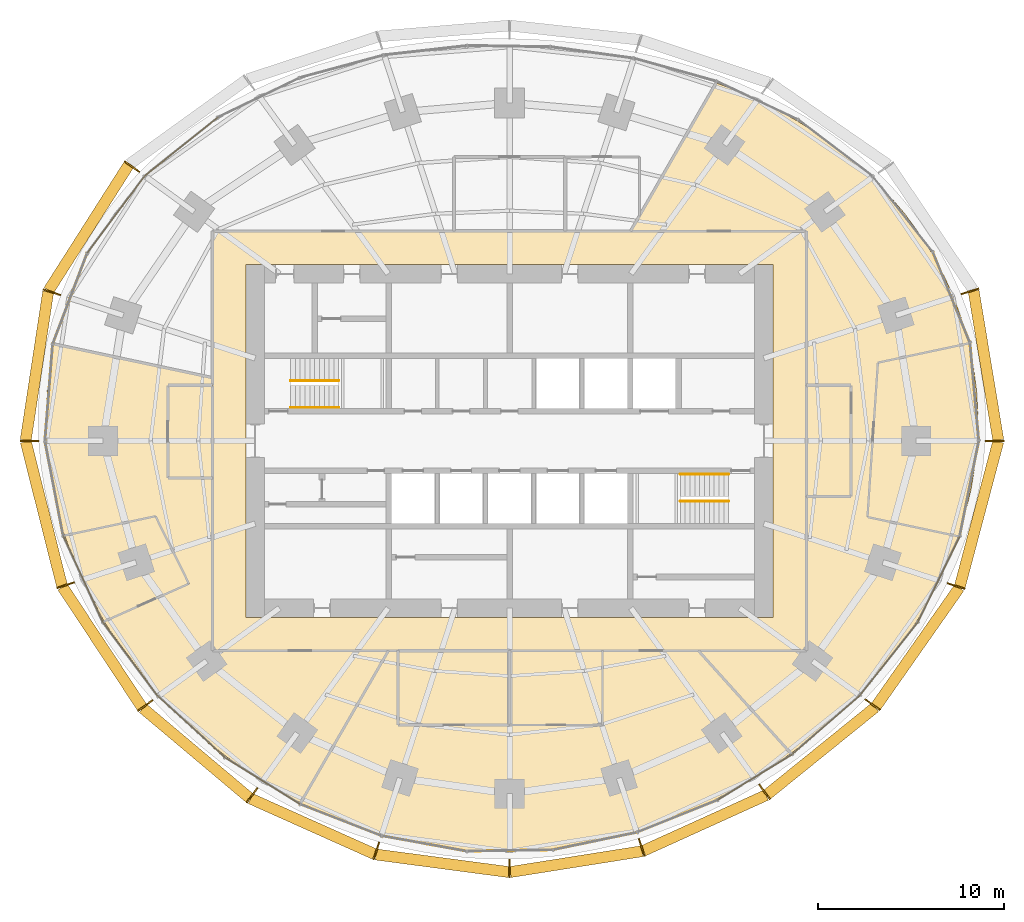
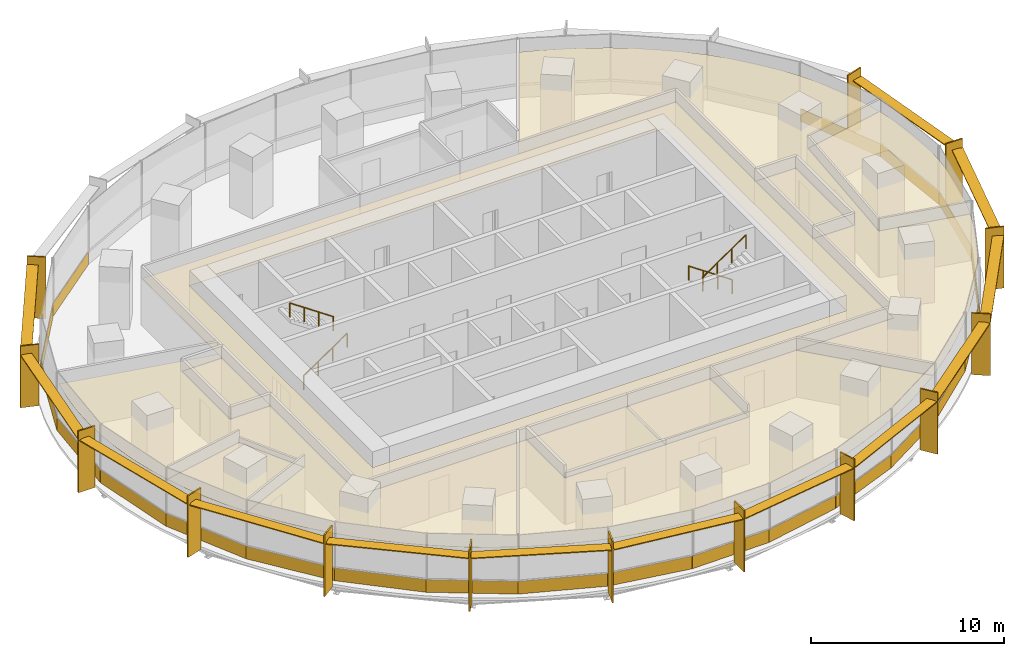
# One storey, part 13 of 14: 31 coverings, 27 shading devices, 4 railings.
"""IFC4 building model written with IfcOpenShell, lengths in metres."""

import ifcopenshell
import ifcopenshell.guid

model = None  # the IFC model being written
_history = None  # IfcOwnerHistory: only IFC2X3 demands one
_inside = {}  # id of a spatial element -> (the spatial element, [elements in it])
_under = {}  # id of a project, library or spatial element -> (it, [spatial elements below it])
_declared = {}  # id of a project -> (the project, [libraries it declares])
_typed = {}  # id of a type object -> (the type object, [elements of that type])
_made_of = {}  # id of a material, layer set ... -> (it, [elements and type objects made of it])


def new_model(schema):
    """Start an empty IFC model of exactly this schema.

    Asked for "IFC4X3", IfcOpenShell would pick the latest addendum, in which some entities
    have other attributes; the version numbers below select the first issue.
    IFC2X3 requires an IfcOwnerHistory on every rooted entity: one is made here for all.
    """
    global model, _history
    if schema == "IFC4X3":
        model = ifcopenshell.file(schema_version=(4, 3, 0, 0))
    else:
        model = ifcopenshell.file(schema=schema)
    _inside.clear()
    _under.clear()
    _declared.clear()
    _typed.clear()
    _made_of.clear()
    _history = None
    if model.schema == "IFC2X3":
        org = make("IfcOrganization", Name="unknown")
        user = make(
            "IfcPersonAndOrganization",
            ThePerson=make("IfcPerson", FamilyName="unknown"),
            TheOrganization=org,
        )
        app = make(
            "IfcApplication",
            ApplicationDeveloper=org,
            Version="unknown",
            ApplicationFullName="unknown",
            ApplicationIdentifier="unknown",
        )
        _history = make(
            "IfcOwnerHistory",
            OwningUser=user,
            OwningApplication=app,
            ChangeAction="ADDED",
            CreationDate=0,
        )
    return model


def make(cls, **values):
    """One entity of the class cls with the attributes given. An attribute that is None is left unset."""
    return model.create_entity(
        cls, **{name: value for name, value in values.items() if value is not None}
    )


def rooted(cls, **values):
    """An entity with a GlobalId (a new one), such as an element, a storey or a relation."""
    return make(cls, GlobalId=ifcopenshell.guid.new(), OwnerHistory=_history, **values)


def si_unit(unit_type, name, prefix=None):
    """IfcSIUnit, for example si_unit("LENGTHUNIT", "METRE", prefix="MILLI")."""
    return make("IfcSIUnit", UnitType=unit_type, Prefix=prefix, Name=name)


def assignment(units):
    """IfcUnitAssignment: the units of a project."""
    return None if units is None else make("IfcUnitAssignment", Units=units)


def point(xyz):
    """IfcCartesianPoint."""
    return None if xyz is None else make("IfcCartesianPoint", Coordinates=xyz)


def direction(xyz):
    """IfcDirection."""
    return None if xyz is None else make("IfcDirection", DirectionRatios=xyz)


def frame(location, z_axis=None, x_axis=None):
    """IfcAxis2Placement3D, a coordinate frame: its origin and axes. An axis left out is left unset."""
    return make(
        "IfcAxis2Placement3D",
        Location=point(location),
        Axis=direction(z_axis),
        RefDirection=direction(x_axis),
    )


def frame_2d(location, x_axis=None):
    """IfcAxis2Placement2D, a coordinate frame in the plane: its origin and x axis."""
    return make(
        "IfcAxis2Placement2D", Location=point(location), RefDirection=direction(x_axis)
    )


def origin():
    """The frame at (0, 0, 0) with its axes left unset."""
    return frame((0.0, 0.0, 0.0))


def origin_2d():
    """The frame at (0, 0) in the plane with its x axis left unset."""
    return frame_2d((0.0, 0.0))


def place(relative_to, where):
    """IfcLocalPlacement: puts the frame where relative to a parent placement (None: the world)."""
    return make(
        "IfcLocalPlacement", PlacementRelTo=relative_to, RelativePlacement=where
    )


def context(
    kind, dimensions, precision=None, world=None, true_north=None, identifier=None
):
    """IfcGeometricRepresentationContext, for example the 3D "Model" context."""
    return make(
        "IfcGeometricRepresentationContext",
        ContextIdentifier=identifier,
        ContextType=kind,
        CoordinateSpaceDimension=dimensions,
        Precision=precision,
        WorldCoordinateSystem=world,
        TrueNorth=true_north,
    )


def subcontext(parent, identifier, kind, view, scale=None):
    """IfcGeometricRepresentationSubContext, for example "Body" below "Model"."""
    return make(
        "IfcGeometricRepresentationSubContext",
        ContextIdentifier=identifier,
        ContextType=kind,
        ParentContext=parent,
        TargetScale=scale,
        TargetView=view,
    )


def project(units=None, contexts=None):
    """IfcProject with its units and contexts."""
    return rooted(
        "IfcProject",
        Name="project",
        RepresentationContexts=contexts,
        UnitsInContext=assignment(units),
    )


def spatial(cls, under=None, at=None, **own):
    """A site, building, storey or space (cls), placed at a placement, below another one or the project."""
    s = rooted(cls, ObjectPlacement=at, **own)
    if under is not None:
        _under.setdefault(under.id(), (under, []))[1].append(s)
    return s


def polyline(points):
    """IfcPolyline through the points."""
    return make("IfcPolyline", Points=[point(p) for p in points])


def profile(cls, at=None, kind="AREA", **sizes):
    """A parametric profile (cls). Its sizes go by their IFC names, for example OverallWidth=200.0."""
    return make(cls, ProfileType=kind, Position=at, **sizes)


def rectangle(**sizes):
    """IfcRectangleProfileDef."""
    return profile("IfcRectangleProfileDef", **sizes)


def circle(**sizes):
    """IfcCircleProfileDef."""
    return profile("IfcCircleProfileDef", **sizes)


def outline(outer, holes=None, kind="AREA"):
    """IfcArbitraryClosedProfileDef: a profile drawn as a closed curve; with holes, ...WithVoids."""
    if holes is None:
        return make("IfcArbitraryClosedProfileDef", ProfileType=kind, OuterCurve=outer)
    return make(
        "IfcArbitraryProfileDefWithVoids",
        ProfileType=kind,
        OuterCurve=outer,
        InnerCurves=holes,
    )


def extrude(swept, where, along, depth):
    """IfcExtrudedAreaSolid: the profile swept, set in the frame where, extruded along a direction by depth."""
    return make(
        "IfcExtrudedAreaSolid",
        SweptArea=swept,
        Position=where,
        ExtrudedDirection=direction(along),
        Depth=depth,
    )


def shape(context_of_items, identifier, shape_type, items):
    """IfcShapeRepresentation: the items that make up one representation, for example the "Body"."""
    return make(
        "IfcShapeRepresentation",
        ContextOfItems=context_of_items,
        RepresentationIdentifier=identifier,
        RepresentationType=shape_type,
        Items=items,
    )


def material(Name=None, Category=None):
    """IfcMaterial."""
    return make("IfcMaterial", Name=Name, Category=Category)


def layer(
    of_material, thickness, ventilated=None, Name=None, Category=None, Priority=None
):
    """IfcMaterialLayer: one layer of a wall or slab, of a material (None: an air gap)."""
    return make(
        "IfcMaterialLayer",
        Material=of_material,
        LayerThickness=thickness,
        IsVentilated=ventilated,
        Name=Name,
        Category=Category,
        Priority=Priority,
    )


def layer_set(layers, Name=None):
    """IfcMaterialLayerSet."""
    return make("IfcMaterialLayerSet", MaterialLayers=layers, LayerSetName=Name)


def made_of(thing, what):
    """Note that an element or type object is made of a material, layer set ...; save() writes the relation."""
    if what is not None:
        _made_of.setdefault(what.id(), (what, []))[1].append(thing)
    return thing


def type_object(cls, material=None, **own):
    """A type object (cls), such as IfcWallType, which elements share."""
    return made_of(rooted(cls, **own), material)


def element(
    cls,
    number,
    at=None,
    inside=None,
    cuts=None,
    type_object=None,
    material=None,
    context=None,
    identifier="Body",
    shape_type=None,
    held_by="IfcProductDefinitionShape",
    body=None,
    shapes=None,
    **own,
):
    """One element of the class cls, such as IfcWall. Its Tag is "e" and its number.

    at: its placement. inside: the storey or other place that contains it. cuts: it is an
    opening in that element (IfcRelVoidsElement). A single representation is given by context,
    identifier, shape_type and body (its items); several are given by shapes. held_by: the class
    of the entity that holds the representations. save() writes the other relations.
    """
    e = rooted(cls, Tag="e%d" % number, ObjectPlacement=at, **own)
    if body is not None:
        shapes = [shape(context, identifier, shape_type, body)]
    if shapes is not None:
        e.Representation = make(held_by, Representations=shapes)
    if inside is not None:
        _inside.setdefault(inside.id(), (inside, []))[1].append(e)
    if cuts is not None:
        rooted(
            "IfcRelVoidsElement", RelatingBuildingElement=cuts, RelatedOpeningElement=e
        )
    if type_object is not None:
        _typed.setdefault(type_object.id(), (type_object, []))[1].append(e)
    return made_of(e, material)


def aggregate(whole, parts):
    """IfcRelAggregates: a whole, such as a stair, and the parts it consists of."""
    return rooted("IfcRelAggregates", RelatingObject=whole, RelatedObjects=parts)


def save(model, path):
    """Write the relations noted so far, then the file.

    IfcRelAggregates (storeys below a building ...), IfcRelContainedInSpatialStructure (elements
    in a storey), IfcRelDefinesByType, IfcRelAssociatesMaterial and IfcRelDeclares: one each for
    every whole, place, type object, material and project.
    """
    for whole, parts in _under.values():
        aggregate(whole, parts)
    for where, things in _inside.values():
        rooted(
            "IfcRelContainedInSpatialStructure",
            RelatedElements=things,
            RelatingStructure=where,
        )
    for kind, things in _typed.values():
        rooted("IfcRelDefinesByType", RelatedObjects=things, RelatingType=kind)
    for what, things in _made_of.values():
        rooted("IfcRelAssociatesMaterial", RelatedObjects=things, RelatingMaterial=what)
    for by, libraries in _declared.values():
        rooted("IfcRelDeclares", RelatingContext=by, RelatedDefinitions=libraries)
    model.write(path)


model = new_model("IFC4")

# Units and contexts
model_context = context("Model", 3, precision=1e-05, world=origin(), true_north=direction((0.0, 1.0)))
body_context = subcontext(model_context, "Body", "Model", "MODEL_VIEW")
ifc_project = project(units=[si_unit("LENGTHUNIT", "METRE"), si_unit("AREAUNIT", "SQUARE_METRE"), si_unit("VOLUMEUNIT", "CUBIC_METRE"), si_unit("PLANEANGLEUNIT", "RADIAN"), si_unit("MASSUNIT", "GRAM", prefix="KILO")], contexts=[model_context])

# Site, building, storey
site_placement = place(None, origin())
site = spatial("IfcSite", under=ifc_project, at=site_placement, CompositionType="ELEMENT")
building_placement = place(site_placement, origin())
building = spatial("IfcBuilding", under=site, at=building_placement, Name="Marramba Exchange Tower", CompositionType="ELEMENT")
storey_placement = place(building_placement, frame((0.0, 0.0, 119.699951171875)))
storey = spatial("IfcBuildingStorey", under=building, at=storey_placement, Name="L28", CompositionType="ELEMENT", Elevation=119.699951171875)

# Shading devices
ifc_material_1 = material(Name="Aluminium blade, timber-look bronze finish", Category="wood")
ifc_layer_1 = layer(ifc_material_1, 0.080078125)
ifc_layer_set_1 = layer_set([ifc_layer_1], Name="Floor-edge blade 1000x80")
shading_device_type_1 = type_object("IfcShadingDeviceType", Name="Floor-edge blade 1000x80", PredefinedType="USERDEFINED", material=ifc_layer_set_1)
for number, where, z_axis, x_axis, name in (
    (1, (26.132080078125, 0.0, -0.159912109375), (0.0, 0.0, 1.0), (1.0, 0.0, 0.0), "Floor-edge blade FB1 L28 TC01"),
    (2, (24.798583984375, 8.0576171875, -0.159912109375), (0.0, 0.0, 1.0), (0.951056516295, 0.309016994375, 0.0), "Floor-edge blade FB1 L28 TC02"),
    (3, (-20.33642578125, 14.775390625, -0.159912109375), (0.0, 0.0, 1.0), (-0.809016994375, 0.587785252292, 0.0), "Floor-edge blade FB1 L28 TC09"),
    (4, (-24.653076171875, 8.01025390625, -0.159912109375), (0.0, 0.0, 1.0), (-0.951056516295, 0.309016994375, 0.0), "Floor-edge blade FB1 L28 TC10"),
    (5, (-25.867919921875, 0.0, -0.159912109375), (0.0, 0.0, 1.0), (-1.0, 0.0, 0.0), "Floor-edge blade FB1 L28 TC11"),
    (6, (-23.90673828125, -7.767822265625, -0.159912109375), (0.0, 0.0, 1.0), (-0.951056516295, -0.309016994375, 0.0), "Floor-edge blade FB1 L28 TC12"),
    (7, (-19.618408203125, -14.253662109375, -0.159912109375), (0.0, 0.0, 1.0), (-0.809016994375, -0.587785252292, 0.0), "Floor-edge blade FB1 L28 TC13"),
    (8, (-13.866943359375, -19.08642578125, -0.159912109375), (0.0, 0.0, 1.0), (-0.587785252292, -0.809016994375, 0.0), "Floor-edge blade FB1 L28 TC14"),
    (9, (-7.173828125, -22.078857421875, -0.159912109375), (0.0, 0.0, 1.0), (-0.309016994375, -0.951056516295, 0.0), "Floor-edge blade FB1 L28 TC15"),
    (10, (0.0, -23.02685546875, -0.159912109375), (0.0, 0.0, 1.0), (0.0, -1.0, 0.0), "Floor-edge blade FB1 L28 TC16"),
    (11, (7.115966796875, -21.900634765625, -0.159912109375), (0.0, 0.0, 1.0), (0.309016994375, -0.951056516295, 0.0), "Floor-edge blade FB1 L28 TC17"),
    (12, (13.733154296875, -18.902099609375, -0.159912109375), (0.0, 0.0, 1.0), (0.587785252292, -0.809016994375, 0.0), "Floor-edge blade FB1 L28 TC18"),
    (13, (19.555908203125, -14.208251953125, -0.159912109375), (0.0, 0.0, 1.0), (0.809016994375, -0.587785252292, 0.0), "Floor-edge blade FB1 L28 TC19"),
    (14, (24.052001953125, -7.81494140625, -0.159912109375), (0.0, 0.0, 1.0), (0.951056516295, -0.309016994375, 0.0), "Floor-edge blade FB1 L28 TC20"),
):
    element("IfcShadingDevice", number, at=place(storey_placement, frame(where, z_axis=z_axis, x_axis=x_axis)), inside=storey, type_object=shading_device_type_1, Name=name, ObjectType="FIN", PredefinedType="USERDEFINED", context=body_context, shape_type="SweptSolid", body=[
        extrude(rectangle(XDim=1.0, YDim=0.080078125, at=origin_2d()), origin(), (0.0, 0.0, 1.0), 3.89990234375),
    ])
ifc_material_2 = material(Name="Aluminium sunshade, bronze anodised", Category="aluminium")
ifc_layer_2 = layer(ifc_material_2, 0.06005859375)
ifc_layer_set_2 = layer_set([ifc_layer_2], Name="SUNSHADE blade 600x60")
shading_device_type_2 = type_object("IfcShadingDeviceType", Name="SUNSHADE blade 600x60", PredefinedType="USERDEFINED", material=ifc_layer_set_2)
shading_device_1_placement = place(storey_placement, frame((25.660400390625, 4.0595703125, 3.159912109375), z_axis=(0.0, 0.0, 1.0), x_axis=(-0.163227675764, 0.986588427798, 0.0)))
element("IfcShadingDevice", 15, at=shading_device_1_placement, inside=storey, type_object=shading_device_type_2, Name="Sunshade SS1 L28 bay 01", ObjectType="SUNSHADE", PredefinedType="USERDEFINED", context=body_context, shape_type="SweptSolid", body=[
    extrude(rectangle(XDim=8.149658203125, YDim=0.60009765625, at=origin_2d()), origin(), (0.0, 0.0, 1.0), 0.06005859375),
])
shading_device_2_placement = place(storey_placement, frame((-22.6708984375, 11.482421875, 3.159912109375), z_axis=(0.0, 0.0, 1.0), x_axis=(-0.537284770546, -0.843400898351, 0.0)))
element("IfcShadingDevice", 16, at=shading_device_2_placement, inside=storey, type_object=shading_device_type_2, Name="Sunshade SS1 L28 bay 09", ObjectType="SUNSHADE", PredefinedType="USERDEFINED", context=body_context, shape_type="SweptSolid", body=[
    extrude(rectangle(XDim=8.007080078125, YDim=0.60009765625, at=origin_2d()), origin(), (0.0, 0.0, 1.0), 0.06005859375),
])
shading_device_3_placement = place(storey_placement, frame((-25.455810546875, 4.0361328125, 3.159912109375), z_axis=(0.0, 0.0, 1.0), x_axis=(-0.14999307077, -0.988687047918, 0.0)))
element("IfcShadingDevice", 17, at=shading_device_3_placement, inside=storey, type_object=shading_device_type_2, Name="Sunshade SS1 L28 bay 10", ObjectType="SUNSHADE", PredefinedType="USERDEFINED", context=body_context, shape_type="SweptSolid", body=[
    extrude(rectangle(XDim=8.08447265625, YDim=0.60009765625, at=origin_2d()), origin(), (0.0, 0.0, 1.0), 0.06005859375),
])
shading_device_4_placement = place(storey_placement, frame((-25.08251953125, -3.914794921875, 3.159912109375), z_axis=(0.0, 0.0, 1.0), x_axis=(0.244116522902, -0.969745906537, 0.0)))
element("IfcShadingDevice", 18, at=shading_device_4_placement, inside=storey, type_object=shading_device_type_2, Name="Sunshade SS1 L28 bay 11", ObjectType="SUNSHADE", PredefinedType="USERDEFINED", context=body_context, shape_type="SweptSolid", body=[
    extrude(rectangle(XDim=7.993896484375, YDim=0.60009765625, at=origin_2d()), origin(), (0.0, 0.0, 1.0), 0.06005859375),
])
shading_device_5_placement = place(storey_placement, frame((-21.938720703125, -11.100341796875, 3.159912109375), z_axis=(0.0, 0.0, 1.0), x_axis=(0.550792342935, -0.834642315585, 0.0)))
element("IfcShadingDevice", 19, at=shading_device_5_placement, inside=storey, type_object=shading_device_type_2, Name="Sunshade SS1 L28 bay 12", ObjectType="SUNSHADE", PredefinedType="USERDEFINED", context=body_context, shape_type="SweptSolid", body=[
    extrude(rectangle(XDim=7.757568359375, YDim=0.60009765625, at=origin_2d()), origin(), (0.0, 0.0, 1.0), 0.06005859375),
])
shading_device_6_placement = place(storey_placement, frame((-16.88232421875, -16.8095703125, 3.159912109375), z_axis=(0.0, 0.0, 1.0), x_axis=(0.76513863304, -0.643865569998, 0.0)))
element("IfcShadingDevice", 20, at=shading_device_6_placement, inside=storey, type_object=shading_device_type_2, Name="Sunshade SS1 L28 bay 13", ObjectType="SUNSHADE", PredefinedType="USERDEFINED", context=body_context, shape_type="SweptSolid", body=[
    extrude(rectangle(XDim=7.49462890625, YDim=0.60009765625, at=origin_2d()), origin(), (0.0, 0.0, 1.0), 0.06005859375),
])
shading_device_7_placement = place(storey_placement, frame((-10.610107421875, -20.758544921875, 3.159912109375), z_axis=(0.0, 0.0, 1.0), x_axis=(0.912735880581, -0.408550134377, 0.0)))
element("IfcShadingDevice", 21, at=shading_device_7_placement, inside=storey, type_object=shading_device_type_2, Name="Sunshade SS1 L28 bay 14", ObjectType="SUNSHADE", PredefinedType="USERDEFINED", context=body_context, shape_type="SweptSolid", body=[
    extrude(rectangle(XDim=7.314208984375, YDim=0.60009765625, at=origin_2d()), origin(), (0.0, 0.0, 1.0), 0.06005859375),
])
shading_device_8_placement = place(storey_placement, frame((-3.617919921875, -22.748046875, 3.159912109375), z_axis=(0.0, 0.0, 1.0), x_axis=(0.991350478855, -0.131241106646, 0.0)))
element("IfcShadingDevice", 22, at=shading_device_8_placement, inside=storey, type_object=shading_device_type_2, Name="Sunshade SS1 L28 bay 15", ObjectType="SUNSHADE", PredefinedType="USERDEFINED", context=body_context, shape_type="SweptSolid", body=[
    extrude(rectangle(XDim=7.21875, YDim=0.60009765625, at=origin_2d()), origin(), (0.0, 0.0, 1.0), 0.06005859375),
])
shading_device_9_placement = place(storey_placement, frame((3.5888671875, -22.658935546875, 3.159912109375), z_axis=(0.0, 0.0, 1.0), x_axis=(0.987704817912, 0.15633039587, 0.0)))
element("IfcShadingDevice", 23, at=shading_device_9_placement, inside=storey, type_object=shading_device_type_2, Name="Sunshade SS1 L28 bay 16", ObjectType="SUNSHADE", PredefinedType="USERDEFINED", context=body_context, shape_type="SweptSolid", body=[
    extrude(rectangle(XDim=7.18701171875, YDim=0.60009765625, at=origin_2d()), origin(), (0.0, 0.0, 1.0), 0.06005859375),
])
shading_device_10_placement = place(storey_placement, frame((10.514404296875, -20.577392578125, 3.159912109375), z_axis=(0.0, 0.0, 1.0), x_axis=(0.910692240548, 0.413085515366, 0.0)))
element("IfcShadingDevice", 24, at=shading_device_10_placement, inside=storey, type_object=shading_device_type_2, Name="Sunshade SS1 L28 bay 17", ObjectType="SUNSHADE", PredefinedType="USERDEFINED", context=body_context, shape_type="SweptSolid", body=[
    extrude(rectangle(XDim=7.24755859375, YDim=0.60009765625, at=origin_2d()), origin(), (0.0, 0.0, 1.0), 0.06005859375),
])
shading_device_11_placement = place(storey_placement, frame((16.7841796875, -16.69482421875, 3.159912109375), z_axis=(0.0, 0.0, 1.0), x_axis=(0.777962439436, 0.628310785223, 0.0)))
element("IfcShadingDevice", 25, at=shading_device_11_placement, inside=storey, type_object=shading_device_type_2, Name="Sunshade SS1 L28 bay 18", ObjectType="SUNSHADE", PredefinedType="USERDEFINED", context=body_context, shape_type="SweptSolid", body=[
    extrude(rectangle(XDim=7.46142578125, YDim=0.60009765625, at=origin_2d()), origin(), (0.0, 0.0, 1.0), 0.06005859375),
])
shading_device_12_placement = place(storey_placement, frame((21.97998046875, -11.101318359375, 3.159912109375), z_axis=(0.0, 0.0, 1.0), x_axis=(0.574350885858, 0.818609222959, 0.0)))
element("IfcShadingDevice", 26, at=shading_device_12_placement, inside=storey, type_object=shading_device_type_2, Name="Sunshade SS1 L28 bay 19", ObjectType="SUNSHADE", PredefinedType="USERDEFINED", context=body_context, shape_type="SweptSolid", body=[
    extrude(rectangle(XDim=7.7978515625, YDim=0.60009765625, at=origin_2d()), origin(), (0.0, 0.0, 1.0), 0.06005859375),
])
shading_device_13_placement = place(storey_placement, frame((25.287109375, -3.9384765625, 3.159912109375), z_axis=(0.0, 0.0, 1.0), x_axis=(0.256422950151, 0.966564674833, 0.0)))
element("IfcShadingDevice", 27, at=shading_device_13_placement, inside=storey, type_object=shading_device_type_2, Name="Sunshade SS1 L28 bay 20", ObjectType="SUNSHADE", PredefinedType="USERDEFINED", context=body_context, shape_type="SweptSolid", body=[
    extrude(rectangle(XDim=8.0693359375, YDim=0.60009765625, at=origin_2d()), origin(), (0.0, 0.0, 1.0), 0.06005859375),
])

# Coverings
ifc_material_3 = material(Name="Aluminium spandrel panel, bronze anodised, insulated", Category="aluminium")
ifc_layer_3 = layer(ifc_material_3, 0.050048828125)
ifc_layer_set_3 = layer_set([ifc_layer_3], Name="Spandrel panel 800")
covering_type_1 = type_object("IfcCoveringType", Name="Spandrel panel 800", PredefinedType="CLADDING", material=ifc_layer_set_3)
covering_1_placement = place(storey_placement, frame((25.04541015625, 2.63671875, 0.0), z_axis=(0.0, 0.0, 1.0), x_axis=(-0.089412890131, 0.995994646109, 0.0)))
element("IfcCovering", 28, at=covering_1_placement, inside=storey, type_object=covering_type_1, Name="Spandrel panel SP1 L28 F01", PredefinedType="CLADDING", context=body_context, shape_type="SweptSolid", body=[
    extrude(rectangle(XDim=5.29443359375, YDim=0.050048828125, at=origin_2d()), origin(), (0.0, 0.0, 1.0), 0.800048828125),
])
covering_2_placement = place(storey_placement, frame((23.81201171875, 7.715576171875, 0.0), z_axis=(0.0, 0.0, 1.0), x_axis=(-0.377821185272, 0.925878583811, 0.0)))
element("IfcCovering", 29, at=covering_2_placement, inside=storey, type_object=covering_type_1, Name="Spandrel panel SP1 L28 F02", PredefinedType="CLADDING", context=body_context, shape_type="SweptSolid", body=[
    extrude(rectangle(XDim=5.27587890625, YDim=0.050048828125, at=origin_2d()), origin(), (0.0, 0.0, 1.0), 0.800048828125),
])
covering_3_placement = place(storey_placement, frame((-17.673095703125, 15.854736328125, 0.0), z_axis=(0.0, 0.0, 1.0), x_axis=(-0.781178328369, -0.624307952285, 0.0)))
element("IfcCovering", 30, at=covering_3_placement, inside=storey, type_object=covering_type_1, Name="Spandrel panel SP1 L28 F12", PredefinedType="CLADDING", context=body_context, shape_type="SweptSolid", body=[
    extrude(rectangle(XDim=5.058349609375, YDim=0.050048828125, at=origin_2d()), origin(), (0.0, 0.0, 1.0), 0.800048828125),
])
covering_4_placement = place(storey_placement, frame((-21.19580078125, 12.20068359375, 0.0), z_axis=(0.0, 0.0, 1.0), x_axis=(-0.597703998161, -0.801716864349, 0.0)))
element("IfcCovering", 31, at=covering_4_placement, inside=storey, type_object=covering_type_1, Name="Spandrel panel SP1 L28 F13", PredefinedType="CLADDING", context=body_context, shape_type="SweptSolid", body=[
    extrude(rectangle(XDim=5.17626953125, YDim=0.050048828125, at=origin_2d()), origin(), (0.0, 0.0, 1.0), 0.800048828125),
])
covering_5_placement = place(storey_placement, frame((-23.671875, 7.677490234375, 0.0), z_axis=(0.0, 0.0, 1.0), x_axis=(-0.354844476365, -0.934925343326, 0.0)))
element("IfcCovering", 32, at=covering_5_placement, inside=storey, type_object=covering_type_1, Name="Spandrel panel SP1 L28 F14", PredefinedType="CLADDING", context=body_context, shape_type="SweptSolid", body=[
    extrude(rectangle(XDim=5.2373046875, YDim=0.050048828125, at=origin_2d()), origin(), (0.0, 0.0, 1.0), 0.800048828125),
])
covering_6_placement = place(storey_placement, frame((-24.8095703125, 2.614501953125, 0.0), z_axis=(0.0, 0.0, 1.0), x_axis=(-0.079459700697, -0.996838079111, 0.0)))
element("IfcCovering", 33, at=covering_6_placement, inside=storey, type_object=covering_type_1, Name="Spandrel panel SP1 L28 F15", PredefinedType="CLADDING", context=body_context, shape_type="SweptSolid", body=[
    extrude(rectangle(XDim=5.245849609375, YDim=0.050048828125, at=origin_2d()), origin(), (0.0, 0.0, 1.0), 0.800048828125),
])
covering_7_placement = place(storey_placement, frame((-24.5283203125, -2.5546875, 0.0), z_axis=(0.0, 0.0, 1.0), x_axis=(0.188227222909, -0.982125507538, 0.0)))
element("IfcCovering", 34, at=covering_7_placement, inside=storey, type_object=covering_type_1, Name="Spandrel panel SP1 L28 F16", PredefinedType="CLADDING", context=body_context, shape_type="SweptSolid", body=[
    extrude(rectangle(XDim=5.20263671875, YDim=0.050048828125, at=origin_2d()), origin(), (0.0, 0.0, 1.0), 0.800048828125),
])
covering_8_placement = place(storey_placement, frame((-22.973876953125, -7.43212890625, 0.0), z_axis=(0.0, 0.0, 1.0), x_axis=(0.416737850896, -0.909026712275, 0.0)))
element("IfcCovering", 35, at=covering_8_placement, inside=storey, type_object=covering_type_1, Name="Spandrel panel SP1 L28 F17", PredefinedType="CLADDING", context=body_context, shape_type="SweptSolid", body=[
    extrude(rectangle(XDim=5.10986328125, YDim=0.050048828125, at=origin_2d()), origin(), (0.0, 0.0, 1.0), 0.800048828125),
])
covering_9_placement = place(storey_placement, frame((-20.419921875, -11.75439453125, 0.0), z_axis=(0.0, 0.0, 1.0), x_axis=(0.597304701232, -0.802014397555, 0.0)))
element("IfcCovering", 36, at=covering_9_placement, inside=storey, type_object=covering_type_1, Name="Spandrel panel SP1 L28 F18", PredefinedType="CLADDING", context=body_context, shape_type="SweptSolid", body=[
    extrude(rectangle(XDim=4.986572265625, YDim=0.050048828125, at=origin_2d()), origin(), (0.0, 0.0, 1.0), 0.800048828125),
])
covering_10_placement = place(storey_placement, frame((-17.135986328125, -15.39599609375, 0.0), z_axis=(0.0, 0.0, 1.0), x_axis=(0.737821889246, -0.674995451651, 0.0)))
element("IfcCovering", 37, at=covering_10_placement, inside=storey, type_object=covering_type_1, Name="Spandrel panel SP1 L28 F19", PredefinedType="CLADDING", context=body_context, shape_type="SweptSolid", body=[
    extrude(rectangle(XDim=4.865234375, YDim=0.050048828125, at=origin_2d()), origin(), (0.0, 0.0, 1.0), 0.800048828125),
])
covering_11_placement = place(storey_placement, frame((-13.31787109375, -18.300537109375, 0.0), z_axis=(0.0, 0.0, 1.0), x_axis=(0.848354599309, -0.529428440708, 0.0)))
element("IfcCovering", 38, at=covering_11_placement, inside=storey, type_object=covering_type_1, Name="Spandrel panel SP1 L28 F20", PredefinedType="CLADDING", context=body_context, shape_type="SweptSolid", body=[
    extrude(rectangle(XDim=4.76953125, YDim=0.050048828125, at=origin_2d()), origin(), (0.0, 0.0, 1.0), 0.800048828125),
])
covering_12_placement = place(storey_placement, frame((-9.10302734375, -20.416748046875, 0.0), z_axis=(0.0, 0.0, 1.0), x_axis=(0.931818387481, -0.362924913381, 0.0)))
element("IfcCovering", 39, at=covering_12_placement, inside=storey, type_object=covering_type_1, Name="Spandrel panel SP1 L28 F21", PredefinedType="CLADDING", context=body_context, shape_type="SweptSolid", body=[
    extrude(rectangle(XDim=4.704345703125, YDim=0.050048828125, at=origin_2d()), origin(), (0.0, 0.0, 1.0), 0.800048828125),
])
covering_13_placement = place(storey_placement, frame((-4.616943359375, -21.685302734375, 0.0), z_axis=(0.0, 0.0, 1.0), x_axis=(0.984031866928, -0.177992373069, 0.0)))
element("IfcCovering", 40, at=covering_13_placement, inside=storey, type_object=covering_type_1, Name="Spandrel panel SP1 L28 F22", PredefinedType="CLADDING", context=body_context, shape_type="SweptSolid", body=[
    extrude(rectangle(XDim=4.662841796875, YDim=0.050048828125, at=origin_2d()), origin(), (0.0, 0.0, 1.0), 0.800048828125),
])
covering_14_placement = place(storey_placement, frame((-0.003662109375, -22.065185546875, 0.0), z_axis=(0.0, 0.0, 1.0), x_axis=(0.999884797651, 0.015178650325, 0.0)))
element("IfcCovering", 41, at=covering_14_placement, inside=storey, type_object=covering_type_1, Name="Spandrel panel SP1 L28 F23", PredefinedType="CLADDING", context=body_context, shape_type="SweptSolid", body=[
    extrude(rectangle(XDim=4.638916015625, YDim=0.050048828125, at=origin_2d()), origin(), (0.0, 0.0, 1.0), 0.800048828125),
])
covering_15_placement = place(storey_placement, frame((4.58447265625, -21.56103515625, 0.0), z_axis=(0.0, 0.0, 1.0), x_axis=(0.979310200528, 0.202364846604, 0.0)))
element("IfcCovering", 42, at=covering_15_placement, inside=storey, type_object=covering_type_1, Name="Spandrel panel SP1 L28 F24", PredefinedType="CLADDING", context=body_context, shape_type="SweptSolid", body=[
    extrude(rectangle(XDim=4.6337890625, YDim=0.050048828125, at=origin_2d()), origin(), (0.0, 0.0, 1.0), 0.800048828125),
])
covering_16_placement = place(storey_placement, frame((9.014892578125, -20.225341796875, 0.0), z_axis=(0.0, 0.0, 1.0), x_axis=(0.928148914987, 0.372209069755, 0.0)))
element("IfcCovering", 43, at=covering_16_placement, inside=storey, type_object=covering_type_1, Name="Spandrel panel SP1 L28 F25", PredefinedType="CLADDING", context=body_context, shape_type="SweptSolid", body=[
    extrude(rectangle(XDim=4.657958984375, YDim=0.050048828125, at=origin_2d()), origin(), (0.0, 0.0, 1.0), 0.800048828125),
])
covering_17_placement = place(storey_placement, frame((13.193115234375, -18.125244140625, 0.0), z_axis=(0.0, 0.0, 1.0), x_axis=(0.853109118827, 0.521732528576, 0.0)))
element("IfcCovering", 44, at=covering_17_placement, inside=storey, type_object=covering_type_1, Name="Spandrel panel SP1 L28 F26", PredefinedType="CLADDING", context=body_context, shape_type="SweptSolid", body=[
    extrude(rectangle(XDim=4.7275390625, YDim=0.050048828125, at=origin_2d()), origin(), (0.0, 0.0, 1.0), 0.800048828125),
])
covering_18_placement = place(storey_placement, frame((17.038818359375, -15.30029296875, 0.0), z_axis=(0.0, 0.0, 1.0), x_axis=(0.754385510875, 0.656431642277, 0.0)))
element("IfcCovering", 45, at=covering_18_placement, inside=storey, type_object=covering_type_1, Name="Spandrel panel SP1 L28 F27", PredefinedType="CLADDING", context=body_context, shape_type="SweptSolid", body=[
    extrude(rectangle(XDim=4.849609375, YDim=0.050048828125, at=origin_2d()), origin(), (0.0, 0.0, 1.0), 0.800048828125),
])
covering_19_placement = place(storey_placement, frame((20.425048828125, -11.747802734375, 0.0), z_axis=(0.0, 0.0, 1.0), x_axis=(0.621807470279, 0.783170141097, 0.0)))
element("IfcCovering", 46, at=covering_19_placement, inside=storey, type_object=covering_type_1, Name="Spandrel panel SP1 L28 F28", PredefinedType="CLADDING", context=body_context, shape_type="SweptSolid", body=[
    extrude(rectangle(XDim=5.00732421875, YDim=0.050048828125, at=origin_2d()), origin(), (0.0, 0.0, 1.0), 0.800048828125),
])
covering_20_placement = place(storey_placement, frame((23.114013671875, -7.47021484375, 0.0), z_axis=(0.0, 0.0, 1.0), x_axis=(0.439086346903, 0.898444867515, 0.0)))
element("IfcCovering", 47, at=covering_20_placement, inside=storey, type_object=covering_type_1, Name="Spandrel panel SP1 L28 F29", PredefinedType="CLADDING", context=body_context, shape_type="SweptSolid", body=[
    extrude(rectangle(XDim=5.156982421875, YDim=0.050048828125, at=origin_2d()), origin(), (0.0, 0.0, 1.0), 0.800048828125),
])
covering_21_placement = place(storey_placement, frame((24.76416015625, -2.576904296875, 0.0), z_axis=(0.0, 0.0, 1.0), x_axis=(0.197048514193, 0.980393738788, 0.0)))
element("IfcCovering", 48, at=covering_21_placement, inside=storey, type_object=covering_type_1, Name="Spandrel panel SP1 L28 F30", PredefinedType="CLADDING", context=body_context, shape_type="SweptSolid", body=[
    extrude(rectangle(XDim=5.2568359375, YDim=0.050048828125, at=origin_2d()), origin(), (0.0, 0.0, 1.0), 0.800048828125),
])

# Railings
ifc_material_4 = material(Name="Stainless steel handrail", Category="steel")
railing_type = type_object("IfcRailingType", Name="Stair handrail 900", PredefinedType="HANDRAIL", material=ifc_material_4)
railing_1_placement = place(storey_placement, frame((-11.800048828125, 1.800048828125, 0.17724609375)))
element("IfcRailing", 49, at=railing_1_placement, inside=storey, type_object=railing_type, Name="Handrail HR1 ST1 L28 flight 1", PredefinedType="HANDRAIL", context=body_context, shape_type="SweptSolid", body=[
    extrude(circle(Radius=0.02392578125, at=origin_2d()), frame((0.0, 0.0, 0.8759765625), z_axis=(0.826240473404, 0.0, 0.563317565952), x_axis=(0.0, 1.0, 0.0)), (0.0, 0.0, 1.0), 3.14697265625),
    extrude(circle(Radius=0.02099609375, at=origin_2d()), origin(), (0.0, 0.0, 1.0), 0.851806640625),
    extrude(circle(Radius=0.02099609375, at=origin_2d()), frame((0.86669921875, 0.0, 0.5908203125)), (0.0, 0.0, 1.0), 0.851806640625),
    extrude(circle(Radius=0.02099609375, at=origin_2d()), frame((1.7333984375, 0.0, 1.181884765625)), (0.0, 0.0, 1.0), 0.851806640625),
    extrude(circle(Radius=0.02099609375, at=origin_2d()), frame((2.60009765625, 0.0, 1.772705078125)), (0.0, 0.0, 1.0), 0.851806640625),
])
for number, where, name in (
    (50, (-9.199951171875, 3.25, 2.12744140625), "Handrail HR1 ST1 L28 flight 2"),
    (51, (11.800048828125, -1.800048828125, 0.17724609375), "Handrail HR1 ST2 L28 flight 1"),
):
    element("IfcRailing", number, at=place(storey_placement, frame(where)), inside=storey, type_object=railing_type, Name=name, PredefinedType="HANDRAIL", context=body_context, shape_type="SweptSolid", body=[
        extrude(circle(Radius=0.02392578125, at=origin_2d()), frame((0.0, 0.0, 0.8759765625), z_axis=(-0.826240473404, 0.0, 0.563317565952), x_axis=(0.0, -1.0, 0.0)), (0.0, 0.0, 1.0), 3.14697265625),
        extrude(circle(Radius=0.02099609375, at=origin_2d()), origin(), (0.0, 0.0, 1.0), 0.851806640625),
        extrude(circle(Radius=0.02099609375, at=origin_2d()), frame((-0.86669921875, 0.0, 0.5908203125)), (0.0, 0.0, 1.0), 0.851806640625),
        extrude(circle(Radius=0.02099609375, at=origin_2d()), frame((-1.7333984375, 0.0, 1.181884765625)), (0.0, 0.0, 1.0), 0.851806640625),
        extrude(circle(Radius=0.02099609375, at=origin_2d()), frame((-2.60009765625, 0.0, 1.772705078125)), (0.0, 0.0, 1.0), 0.851806640625),
    ])
railing_2_placement = place(storey_placement, frame((9.199951171875, -3.25, 2.12744140625)))
element("IfcRailing", 52, at=railing_2_placement, inside=storey, type_object=railing_type, Name="Handrail HR1 ST2 L28 flight 2", PredefinedType="HANDRAIL", context=body_context, shape_type="SweptSolid", body=[
    extrude(circle(Radius=0.02392578125, at=origin_2d()), frame((0.0, 0.0, 0.8759765625), z_axis=(0.826240473404, 0.0, 0.563317565952), x_axis=(0.0, 1.0, 0.0)), (0.0, 0.0, 1.0), 3.14697265625),
    extrude(circle(Radius=0.02099609375, at=origin_2d()), origin(), (0.0, 0.0, 1.0), 0.851806640625),
    extrude(circle(Radius=0.02099609375, at=origin_2d()), frame((0.86669921875, 0.0, 0.5908203125)), (0.0, 0.0, 1.0), 0.851806640625),
    extrude(circle(Radius=0.02099609375, at=origin_2d()), frame((1.7333984375, 0.0, 1.181884765625)), (0.0, 0.0, 1.0), 0.851806640625),
    extrude(circle(Radius=0.02099609375, at=origin_2d()), frame((2.60009765625, 0.0, 1.772705078125)), (0.0, 0.0, 1.0), 0.851806640625),
])

# Coverings
ifc_material_5 = material(Name="Mineral fibre ceiling tiles", Category="gypsum")
ifc_layer_4 = layer(ifc_material_5, 0.02001953125)
ifc_layer_set_4 = layer_set([ifc_layer_4], Name="Suspended ceiling 20")
covering_type_2 = type_object("IfcCoveringType", Name="Suspended ceiling 20", PredefinedType="CEILING", material=ifc_layer_set_4)
covering_22_placement = place(storey_placement, frame((0.0, 0.0, 2.900146484375)))
element("IfcCovering", 53, at=covering_22_placement, inside=storey, type_object=covering_type_2, Name="Ceiling CL1 L28 Open Plan Office 1", PredefinedType="CEILING", context=body_context, shape_type="SweptSolid", body=[
    extrude(outline(polyline([(16.0, -3.0), (18.39990234375, -3.0), (18.39990234375, 3.0), (16.0, 3.0), (16.0, 11.300048828125), (6.524169921875, 11.300048828125), (11.13671875, 19.289306640625), (12.24658203125, 18.8583984375), (13.348876953125, 18.373046875), (14.43896484375, 17.830810546875), (15.512451171875, 17.228271484375), (16.563720703125, 16.563720703125), (17.5869140625, 15.835205078125), (18.5751953125, 15.041748046875), (19.521484375, 14.18310546875), (20.4189453125, 13.26025390625), (21.259765625, 12.2744140625), (22.03662109375, 11.228271484375), (22.7421875, 10.12548828125), (23.3701171875, 8.970947265625), (23.9140625, 7.77001953125), (24.368896484375, 6.529541015625), (24.73046875, 5.256591796875), (19.839599609375, 4.217041015625), (19.277099609375, -4.097412109375), (24.16796875, -5.136962890625), (23.703125, -6.351318359375), (23.16748046875, -7.527587890625), (22.5673828125, -8.662841796875), (21.90869140625, -9.75439453125), (21.197509765625, -10.80078125), (20.439697265625, -11.80078125), (19.64013671875, -12.75439453125), (18.803466796875, -13.66162109375), (17.93359375, -14.5224609375), (17.033935546875, -15.33740234375), (16.107421875, -16.107421875), (15.156005859375, -16.83251953125), (10.174560546875, -11.300048828125), (16.0, -11.300048828125), (16.0, -3.0)])), origin(), (0.0, 0.0, 1.0), 0.02001953125),
])
covering_23_placement = place(storey_placement, frame((0.0, 0.0, 2.900146484375)))
element("IfcCovering", 54, at=covering_23_placement, inside=storey, type_object=covering_type_2, Name="Ceiling CL1 L28 Office 3", PredefinedType="CEILING", context=body_context, shape_type="SweptSolid", body=[
    extrude(outline(polyline([(-13.3203125, -18.333984375), (-14.317138671875, -17.68017578125), (-15.28759765625, -16.978515625), (-16.229736328125, -16.229736328125), (-17.1416015625, -15.434326171875), (-18.021240234375, -14.59326171875), (-18.865966796875, -13.706787109375), (-19.673095703125, -12.77587890625), (-20.439697265625, -11.80078125), (-21.162109375, -10.78271484375), (-21.836181640625, -9.72216796875), (-17.268310546875, -7.6884765625), (-19.069580078125, -4.053466796875), (-23.96044921875, -5.093017578125), (-24.32421875, -3.8525390625), (-24.611083984375, -2.586669921875), (-24.81689453125, -1.300537109375), (-24.93798828125, 0.0), (-24.970947265625, 1.30859375), (-24.913330078125, 2.618408203125), (-24.76416015625, 3.92236328125), (-24.52294921875, 5.21240234375), (-16.0, 3.40087890625), (-16.0, 3.0), (-18.39990234375, 3.0), (-18.39990234375, -2.0), (-16.0, -2.0), (-16.0, -11.300048828125), (-6.524169921875, -11.300048828125), (-11.2548828125, -19.493896484375), (-12.299072265625, -18.938720703125), (-13.3203125, -18.333984375)])), origin(), (0.0, 0.0, 1.0), 0.02001953125),
])
covering_24_placement = place(storey_placement, frame((0.0, 0.0, 2.900146484375)))
element("IfcCovering", 55, at=covering_24_placement, inside=storey, type_object=covering_type_2, Name="Ceiling CL1 L28 Office 4", PredefinedType="CEILING", context=body_context, shape_type="SweptSolid", body=[
    extrude(outline(polyline([(12.440185546875, -13.81640625), (15.156005859375, -16.83251953125), (14.181884765625, -17.51318359375), (13.1865234375, -18.14990234375), (12.171142578125, -18.741943359375), (11.13671875, -19.289306640625), (10.083984375, -19.791259765625), (9.0146484375, -20.2470703125), (7.928955078125, -20.65576171875), (6.82861328125, -21.01611328125), (5.714599609375, -21.3271484375), (4.58837890625, -21.587158203125), (3.4521484375, -21.79541015625), (2.30712890625, -21.950439453125), (1.15576171875, -22.05126953125), (0.0, -22.096923828125), (-1.157470703125, -22.0869140625), (-2.314453125, -22.020751953125), (-3.468505859375, -21.898193359375), (-4.61669921875, -21.719482421875), (-5.7568359375, -21.484619140625), (-6.886474609375, -21.1943359375), (-8.00341796875, -20.84912109375), (-9.10498046875, -20.4501953125), (-10.189453125, -19.997802734375), (-11.2548828125, -19.493896484375), (-6.524169921875, -11.300048828125), (-6.0, -11.300048828125), (-6.0, -15.300048828125), (0.0, -15.300048828125), (5.0, -15.300048828125), (5.0, -11.300048828125), (10.174560546875, -11.300048828125), (12.440185546875, -13.81640625)])), origin(), (0.0, 0.0, 1.0), 0.02001953125),
])
covering_25_placement = place(storey_placement, frame((0.0, 0.0, 2.900146484375)))
element("IfcCovering", 56, at=covering_25_placement, inside=storey, type_object=covering_type_2, Name="Ceiling CL1 L28 Corridor", PredefinedType="CEILING", context=body_context, shape_type="SweptSolid", body=[
    extrude(outline(polyline([(-16.0, 11.300048828125), (16.0, 11.300048828125), (16.0, -11.300048828125), (-16.0, -11.300048828125), (-16.0, 11.300048828125)]), holes=[polyline([(-14.199951171875, 9.5), (-14.199951171875, -9.5), (14.199951171875, -9.5), (14.199951171875, 9.5), (-14.199951171875, 9.5)])]), origin(), (0.0, 0.0, 1.0), 0.02001953125),
])
covering_26_placement = place(storey_placement, frame((0.0, 0.0, 2.900146484375)))
element("IfcCovering", 57, at=covering_26_placement, inside=storey, type_object=covering_type_2, Name="Ceiling CL1 L28 Office 1", PredefinedType="CEILING", context=body_context, shape_type="SweptSolid", body=[
    extrude(outline(polyline([(24.86328125, 4.6064453125), (24.99560546875, 3.958984375), (25.16259765625, 2.644775390625), (25.186279296875, 2.190185546875), (25.231201171875, 1.322265625), (25.201904296875, 0.0), (25.181884765625, -0.212646484375), (25.077392578125, -1.314208984375), (24.96533203125, -1.984619140625), (24.8603515625, -2.61279296875), (24.80078125, -2.862548828125), (24.555419921875, -3.88916015625), (24.16796875, -5.136962890625), (19.277099609375, -4.097412109375), (19.839599609375, 4.217041015625), (24.73046875, 5.256591796875), (24.86328125, 4.6064453125)])), origin(), (0.0, 0.0, 1.0), 0.02001953125),
])
covering_27_placement = place(storey_placement, frame((0.0, 0.0, 2.900146484375)))
element("IfcCovering", 58, at=covering_27_placement, inside=storey, type_object=covering_type_2, Name="Ceiling CL1 L28 Office 2", PredefinedType="CEILING", context=body_context, shape_type="SweptSolid", body=[
    extrude(outline(polyline([(-22.188232421875, -9.098388671875), (-22.457763671875, -8.62060546875), (-23.022216796875, -7.48046875), (-23.407470703125, -6.57861328125), (-23.52490234375, -6.303466796875), (-23.96044921875, -5.093017578125), (-19.069580078125, -4.053466796875), (-17.268310546875, -7.6884765625), (-21.836181640625, -9.72216796875), (-22.188232421875, -9.098388671875)])), origin(), (0.0, 0.0, 1.0), 0.02001953125),
])
covering_28_placement = place(storey_placement, frame((0.0, 0.0, 2.900146484375)))
element("IfcCovering", 59, at=covering_28_placement, inside=storey, type_object=covering_type_2, Name="Ceiling CL1 L28 Meeting Room 1", PredefinedType="CEILING", context=body_context, shape_type="SweptSolid", body=[
    extrude(outline(polyline([(18.39990234375, -3.0), (16.0, -3.0), (16.0, 3.0), (18.39990234375, 3.0), (18.39990234375, -3.0)])), origin(), (0.0, 0.0, 1.0), 0.02001953125),
])
covering_29_placement = place(storey_placement, frame((0.0, 0.0, 2.900146484375)))
element("IfcCovering", 60, at=covering_29_placement, inside=storey, type_object=covering_type_2, Name="Ceiling CL1 L28 Meeting Room 3", PredefinedType="CEILING", context=body_context, shape_type="SweptSolid", body=[
    extrude(outline(polyline([(-16.0, -2.0), (-18.39990234375, -2.0), (-18.39990234375, 3.0), (-16.0, 3.0), (-16.0, -2.0)])), origin(), (0.0, 0.0, 1.0), 0.02001953125),
])
covering_30_placement = place(storey_placement, frame((0.0, 0.0, 2.900146484375)))
element("IfcCovering", 61, at=covering_30_placement, inside=storey, type_object=covering_type_2, Name="Ceiling CL1 L28 Meeting Room 4", PredefinedType="CEILING", context=body_context, shape_type="SweptSolid", body=[
    extrude(outline(polyline([(0.0, -15.300048828125), (-6.0, -15.300048828125), (-6.0, -11.300048828125), (0.0, -11.300048828125), (0.0, -15.300048828125)])), origin(), (0.0, 0.0, 1.0), 0.02001953125),
])
covering_31_placement = place(storey_placement, frame((0.0, 0.0, 2.900146484375)))
element("IfcCovering", 62, at=covering_31_placement, inside=storey, type_object=covering_type_2, Name="Ceiling CL1 L28 Pantry 2", PredefinedType="CEILING", context=body_context, shape_type="SweptSolid", body=[
    extrude(outline(polyline([(5.0, -15.300048828125), (0.0, -15.300048828125), (0.0, -11.300048828125), (5.0, -11.300048828125), (5.0, -15.300048828125)])), origin(), (0.0, 0.0, 1.0), 0.02001953125),
])

save(model, "model.ifc")
